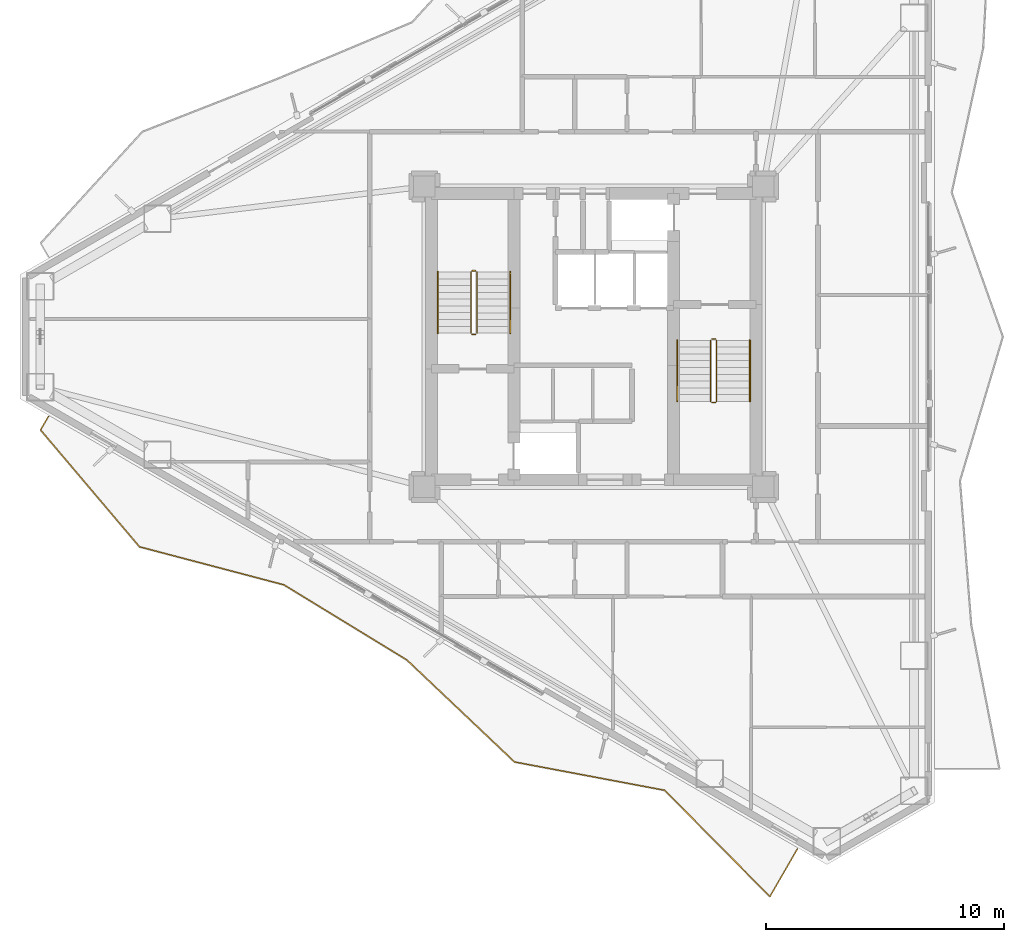
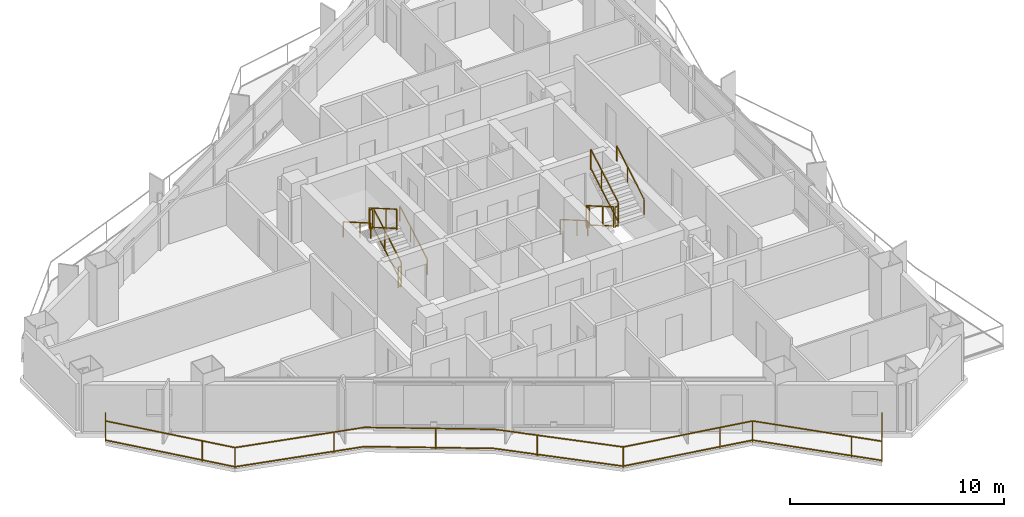
# One storey, part 21 of 22: 13 railings.
"""IFC4 building model written with IfcOpenShell, lengths in metres."""

from ifc_helpers import new_model, si_unit, direction, frame, origin, origin_2d, place, context, subcontext, project, spatial, rectangle, extrude, material, type_object, element, save


model = new_model("IFC4")

# Units and contexts
model_context = context("Model", 3, precision=1e-05, world=origin(), true_north=direction((0.0, 1.0)))
body_context = subcontext(model_context, "Body", "Model", "MODEL_VIEW")
ifc_project = project(units=[si_unit("LENGTHUNIT", "METRE"), si_unit("AREAUNIT", "SQUARE_METRE"), si_unit("VOLUMEUNIT", "CUBIC_METRE"), si_unit("PLANEANGLEUNIT", "RADIAN"), si_unit("MASSUNIT", "GRAM", prefix="KILO")], contexts=[model_context])

# Site, building, storey
site_placement = place(None, origin())
site = spatial("IfcSite", under=ifc_project, at=site_placement, CompositionType="ELEMENT")
building_placement = place(site_placement, origin())
building = spatial("IfcBuilding", under=site, at=building_placement, Name="Mersakhor Tower and Convention Hall", CompositionType="ELEMENT")
storey_placement = place(building_placement, frame((0.0, 0.0, 83.39990234375)))
storey = spatial("IfcBuildingStorey", under=building, at=storey_placement, Name="L22", CompositionType="ELEMENT", Elevation=83.39990234375)

# Railings
ifc_material_1 = material(Name="Powder-coated galvanised steel and laminated glass balustrade", Category="steel")
railing_type_1 = type_object("IfcRailingType", Name="RL-BAL-1200", PredefinedType="BALUSTRADE", material=ifc_material_1)
railing_1_placement = place(storey_placement, frame((6.1240234375, 23.4052734375, 0.0)))
element("IfcRailing", 1, at=railing_1_placement, inside=storey, type_object=railing_type_1, Name="L22 Sinusoidal Balcony Balustrade F3", PredefinedType="BALUSTRADE", context=body_context, shape_type="SweptSolid", body=[
    extrude(rectangle(XDim=0.048095703125, YDim=0.048095703125, at=origin_2d()), frame((0.0, 0.0, 1.17578125), z_axis=(-0.49989585183, -0.866085525409, 0.0), x_axis=(0.866085525409, -0.49989585183, 0.0)), (0.0, 0.0, 1.0), 0.650146484375),
    extrude(rectangle(XDim=0.048095703125, YDim=0.048095703125, at=origin_2d()), frame((0.0, 0.0, 0.080078125), z_axis=(-0.49989585183, -0.866085525409, 0.0), x_axis=(0.866085525409, -0.49989585183, 0.0)), (0.0, 0.0, 1.0), 0.650146484375),
    extrude(rectangle(XDim=0.048095703125, YDim=0.048095703125, at=origin_2d()), frame((-0.324951171875, -0.56298828125, 1.17578125), z_axis=(0.646213090612, -0.763157022848, 0.0), x_axis=(0.763157022848, 0.646213090612, 0.0)), (0.0, 0.0, 1.0), 6.423828125),
    extrude(rectangle(XDim=0.048095703125, YDim=0.048095703125, at=origin_2d()), frame((-0.324951171875, -0.56298828125, 0.080078125), z_axis=(0.646213090612, -0.763157022848, 0.0), x_axis=(0.763157022848, 0.646213090612, 0.0)), (0.0, 0.0, 1.0), 6.423828125),
    extrude(rectangle(XDim=0.048095703125, YDim=0.048095703125, at=origin_2d()), frame((3.826171875, -5.46533203125, 1.17578125), z_axis=(0.967008397633, -0.254744497306, 0.0), x_axis=(0.254744497306, 0.967008397633, 0.0)), (0.0, 0.0, 1.0), 6.266845703125),
    extrude(rectangle(XDim=0.048095703125, YDim=0.048095703125, at=origin_2d()), frame((3.826171875, -5.46533203125, 0.080078125), z_axis=(0.967008397633, -0.254744497306, 0.0), x_axis=(0.254744497306, 0.967008397633, 0.0)), (0.0, 0.0, 1.0), 6.266845703125),
    extrude(rectangle(XDim=0.048095703125, YDim=0.048095703125, at=origin_2d()), frame((9.88623046875, -7.061767578125, 1.17578125), z_axis=(0.853257885244, -0.521489195736, 0.0), x_axis=(0.521489195736, 0.853257885244, 0.0)), (0.0, 0.0, 1.0), 6.048095703125),
    extrude(rectangle(XDim=0.048095703125, YDim=0.048095703125, at=origin_2d()), frame((9.88623046875, -7.061767578125, 0.080078125), z_axis=(0.853257885244, -0.521489195736, 0.0), x_axis=(0.521489195736, 0.853257885244, 0.0)), (0.0, 0.0, 1.0), 6.048095703125),
    extrude(rectangle(XDim=0.048095703125, YDim=0.048095703125, at=origin_2d()), frame((15.046875, -10.2158203125, 1.17578125), z_axis=(0.726031109564, -0.687661855816, 0.0), x_axis=(0.687661855816, 0.726031109564, 0.0)), (0.0, 0.0, 1.0), 6.216552734375),
    extrude(rectangle(XDim=0.048095703125, YDim=0.048095703125, at=origin_2d()), frame((15.046875, -10.2158203125, 0.080078125), z_axis=(0.726031109564, -0.687661855816, 0.0), x_axis=(0.687661855816, 0.726031109564, 0.0)), (0.0, 0.0, 1.0), 6.216552734375),
    extrude(rectangle(XDim=0.048095703125, YDim=0.048095703125, at=origin_2d()), frame((19.560302734375, -14.49072265625, 1.17578125), z_axis=(0.982664928517, -0.185390502084, 0.0), x_axis=(0.185390502084, 0.982664928517, 0.0)), (0.0, 0.0, 1.0), 6.40673828125),
    extrude(rectangle(XDim=0.048095703125, YDim=0.048095703125, at=origin_2d()), frame((19.560302734375, -14.49072265625, 0.080078125), z_axis=(0.982664928517, -0.185390502084, 0.0), x_axis=(0.185390502084, 0.982664928517, 0.0)), (0.0, 0.0, 1.0), 6.40673828125),
    extrude(rectangle(XDim=0.048095703125, YDim=0.048095703125, at=origin_2d()), frame((25.85595703125, -15.678466796875, 1.17578125), z_axis=(0.703299493213, -0.710893679003, 0.0), x_axis=(0.710893679003, 0.703299493213, 0.0)), (0.0, 0.0, 1.0), 6.26904296875),
    extrude(rectangle(XDim=0.048095703125, YDim=0.048095703125, at=origin_2d()), frame((25.85595703125, -15.678466796875, 0.080078125), z_axis=(0.703299493213, -0.710893679003, 0.0), x_axis=(0.710893679003, 0.703299493213, 0.0)), (0.0, 0.0, 1.0), 6.26904296875),
    extrude(rectangle(XDim=0.048095703125, YDim=0.048095703125, at=origin_2d()), frame((30.264892578125, -20.135009765625, 1.17578125), z_axis=(0.499921105357, 0.866070948836, 0.0), x_axis=(-0.866070948836, 0.499921105357, 0.0)), (0.0, 0.0, 1.0), 2.304931640625),
    extrude(rectangle(XDim=0.048095703125, YDim=0.048095703125, at=origin_2d()), frame((30.264892578125, -20.135009765625, 0.080078125), z_axis=(0.499921105357, 0.866070948836, 0.0), x_axis=(-0.866070948836, 0.499921105357, 0.0)), (0.0, 0.0, 1.0), 2.304931640625),
    extrude(rectangle(XDim=0.0419921875, YDim=0.0419921875, at=origin_2d()), origin(), (0.0, 0.0, 1.0), 1.15185546875),
    extrude(rectangle(XDim=0.0419921875, YDim=0.0419921875, at=origin_2d()), frame((-0.324951171875, -0.56298828125, 0.0)), (0.0, 0.0, 1.0), 1.15185546875),
    extrude(rectangle(XDim=0.0419921875, YDim=0.0419921875, at=origin_2d()), frame((2.77685546875, -4.22607421875, 0.0)), (0.0, 0.0, 1.0), 1.15185546875),
    extrude(rectangle(XDim=0.0419921875, YDim=0.0419921875, at=origin_2d()), frame((3.826171875, -5.46533203125, 0.0)), (0.0, 0.0, 1.0), 1.15185546875),
    extrude(rectangle(XDim=0.0419921875, YDim=0.0419921875, at=origin_2d()), frame((8.4677734375, -6.68798828125, 0.0)), (0.0, 0.0, 1.0), 1.15185546875),
    extrude(rectangle(XDim=0.0419921875, YDim=0.0419921875, at=origin_2d()), frame((12.730224609375, -8.800048828125, 0.0)), (0.0, 0.0, 1.0), 1.15185546875),
    extrude(rectangle(XDim=0.0419921875, YDim=0.0419921875, at=origin_2d()), frame((16.560546875, -11.649658203125, 0.0)), (0.0, 0.0, 1.0), 1.15185546875),
    extrude(rectangle(XDim=0.0419921875, YDim=0.0419921875, at=origin_2d()), frame((19.560302734375, -14.49072265625, 0.0)), (0.0, 0.0, 1.0), 1.15185546875),
    extrude(rectangle(XDim=0.0419921875, YDim=0.0419921875, at=origin_2d()), frame((24.277099609375, -15.380615234375, 0.0)), (0.0, 0.0, 1.0), 1.15185546875),
    extrude(rectangle(XDim=0.0419921875, YDim=0.0419921875, at=origin_2d()), frame((25.85595703125, -15.678466796875, 0.0)), (0.0, 0.0, 1.0), 1.15185546875),
    extrude(rectangle(XDim=0.0419921875, YDim=0.0419921875, at=origin_2d()), frame((29.231689453125, -19.0908203125, 0.0)), (0.0, 0.0, 1.0), 1.15185546875),
    extrude(rectangle(XDim=0.0419921875, YDim=0.0419921875, at=origin_2d()), frame((30.264892578125, -20.135009765625, 0.0)), (0.0, 0.0, 1.0), 1.15185546875),
    extrude(rectangle(XDim=0.0419921875, YDim=0.0419921875, at=origin_2d()), frame((31.417236328125, -18.138671875, 0.0)), (0.0, 0.0, 1.0), 1.15185546875),
])
ifc_material_2 = material(Name="Brushed stainless steel handrail", Category="steel")
railing_type_2 = type_object("IfcRailingType", Name="RL-HR-900", PredefinedType="HANDRAIL", material=ifc_material_2)
railing_2_placement = place(storey_placement, frame((25.5, 26.89990234375, 0.1650390625)))
element("IfcRailing", 2, at=railing_2_placement, inside=storey, type_object=railing_type_2, Name="L22 ST-1 stair handrail 1", PredefinedType="HANDRAIL", context=body_context, shape_type="SweptSolid", body=[
    extrude(rectangle(XDim=0.048095703125, YDim=0.048095703125, at=origin_2d()), frame((0.0, 0.0, 0.8759765625), z_axis=(0.0, 0.865426285481, 0.501036270542), x_axis=(-1.0, 0.0, 0.0)), (0.0, 0.0, 1.0), 2.964111328125),
    extrude(rectangle(XDim=0.0419921875, YDim=0.0419921875, at=origin_2d()), origin(), (0.0, 0.0, 1.0), 0.851806640625),
    extrude(rectangle(XDim=0.0419921875, YDim=0.0419921875, at=origin_2d()), frame((0.0, 1.557861328125, 0.90185546875)), (0.0, 0.0, 1.0), 0.851806640625),
    extrude(rectangle(XDim=0.0419921875, YDim=0.0419921875, at=origin_2d()), frame((0.0, 2.565185546875, 1.485107421875)), (0.0, 0.0, 1.0), 0.851806640625),
])
railing_3_placement = place(storey_placement, frame((22.449951171875, 29.465087890625, 1.815185546875)))
element("IfcRailing", 3, at=railing_3_placement, inside=storey, type_object=railing_type_2, Name="L22 ST-1 stair handrail 2", PredefinedType="HANDRAIL", context=body_context, shape_type="SweptSolid", body=[
    extrude(rectangle(XDim=0.048095703125, YDim=0.048095703125, at=origin_2d()), frame((0.0, 0.0, 0.8759765625), z_axis=(0.0, -0.865461999751, 0.500974577186), x_axis=(1.0, 0.0, 0.0)), (0.0, 0.0, 1.0), 2.9638671875),
    extrude(rectangle(XDim=0.0419921875, YDim=0.0419921875, at=origin_2d()), origin(), (0.0, 0.0, 1.0), 0.851806640625),
    extrude(rectangle(XDim=0.0419921875, YDim=0.0419921875, at=origin_2d()), frame((0.0, -1.557861328125, 0.90185546875)), (0.0, 0.0, 1.0), 0.851806640625),
    extrude(rectangle(XDim=0.0419921875, YDim=0.0419921875, at=origin_2d()), frame((0.0, -2.565185546875, 1.48486328125)), (0.0, 0.0, 1.0), 0.851806640625),
])
railing_4_placement = place(storey_placement, frame((32.5, 26.60009765625, 0.1650390625)))
element("IfcRailing", 4, at=railing_4_placement, inside=storey, type_object=railing_type_2, Name="L22 ST-2 stair handrail 1", PredefinedType="HANDRAIL", context=body_context, shape_type="SweptSolid", body=[
    extrude(rectangle(XDim=0.048095703125, YDim=0.048095703125, at=origin_2d()), frame((0.0, 0.0, 0.8759765625), z_axis=(0.0, -0.865426285481, 0.501036270542), x_axis=(1.0, 0.0, 0.0)), (0.0, 0.0, 1.0), 2.964111328125),
    extrude(rectangle(XDim=0.0419921875, YDim=0.0419921875, at=origin_2d()), origin(), (0.0, 0.0, 1.0), 0.851806640625),
    extrude(rectangle(XDim=0.0419921875, YDim=0.0419921875, at=origin_2d()), frame((0.0, -1.557861328125, 0.90185546875)), (0.0, 0.0, 1.0), 0.851806640625),
    extrude(rectangle(XDim=0.0419921875, YDim=0.0419921875, at=origin_2d()), frame((0.0, -2.565185546875, 1.485107421875)), (0.0, 0.0, 1.0), 0.851806640625),
])
railing_5_placement = place(storey_placement, frame((35.550048828125, 24.034912109375, 1.815185546875)))
element("IfcRailing", 5, at=railing_5_placement, inside=storey, type_object=railing_type_2, Name="L22 ST-2 stair handrail 2", PredefinedType="HANDRAIL", context=body_context, shape_type="SweptSolid", body=[
    extrude(rectangle(XDim=0.048095703125, YDim=0.048095703125, at=origin_2d()), frame((0.0, 0.0, 0.8759765625), z_axis=(0.0, 0.865461999751, 0.500974577186), x_axis=(-1.0, 0.0, 0.0)), (0.0, 0.0, 1.0), 2.9638671875),
    extrude(rectangle(XDim=0.0419921875, YDim=0.0419921875, at=origin_2d()), origin(), (0.0, 0.0, 1.0), 0.851806640625),
    extrude(rectangle(XDim=0.0419921875, YDim=0.0419921875, at=origin_2d()), frame((0.0, 1.557861328125, 0.90185546875)), (0.0, 0.0, 1.0), 0.851806640625),
    extrude(rectangle(XDim=0.0419921875, YDim=0.0419921875, at=origin_2d()), frame((0.0, 2.565185546875, 1.48486328125)), (0.0, 0.0, 1.0), 0.851806640625),
])
ifc_material_3 = material(Name="Painted steel stair balustrade S355", Category="steel")
railing_type_3 = type_object("IfcRailingType", Name="RL-STG-1200", PredefinedType="BALUSTRADE", material=ifc_material_3)
railing_6_placement = place(storey_placement, frame((24.10009765625, 26.89990234375, 0.1650390625)))
element("IfcRailing", 6, at=railing_6_placement, inside=storey, type_object=railing_type_3, Name="L22 ST-1 stair guard 1", PredefinedType="BALUSTRADE", context=body_context, shape_type="SweptSolid", body=[
    extrude(rectangle(XDim=0.048095703125, YDim=0.048095703125, at=origin_2d()), frame((0.0, 0.0, 1.17578125), z_axis=(0.0, 0.865426285481, 0.501036270542), x_axis=(-1.0, 0.0, 0.0)), (0.0, 0.0, 1.0), 2.964111328125),
    extrude(rectangle(XDim=0.048095703125, YDim=0.048095703125, at=origin_2d()), frame((0.0, 0.0, 0.080078125), z_axis=(0.0, 0.865426285481, 0.501036270542), x_axis=(-1.0, 0.0, 0.0)), (0.0, 0.0, 1.0), 2.964111328125),
    extrude(rectangle(XDim=0.0419921875, YDim=0.0419921875, at=origin_2d()), origin(), (0.0, 0.0, 1.0), 1.15185546875),
    extrude(rectangle(XDim=0.0419921875, YDim=0.0419921875, at=origin_2d()), frame((0.0, 1.557861328125, 0.90185546875)), (0.0, 0.0, 1.0), 1.15185546875),
    extrude(rectangle(XDim=0.0419921875, YDim=0.0419921875, at=origin_2d()), frame((0.0, 2.565185546875, 1.485107421875)), (0.0, 0.0, 1.0), 1.15185546875),
])
railing_7_placement = place(storey_placement, frame((24.050048828125, 29.514892578125, 1.650146484375)))
element("IfcRailing", 7, at=railing_7_placement, inside=storey, type_object=railing_type_3, Name="L22 ST-1 stair guard 2", PredefinedType="BALUSTRADE", context=body_context, shape_type="SweptSolid", body=[
    extrude(rectangle(XDim=0.048095703125, YDim=0.048095703125, at=origin_2d()), frame((0.0, 0.0, 1.17578125), z_axis=(-1.0, 0.0, 0.0), x_axis=(0.0, -1.0, 0.0)), (0.0, 0.0, 1.0), 0.150146484375),
    extrude(rectangle(XDim=0.048095703125, YDim=0.048095703125, at=origin_2d()), frame((0.0, 0.0, 0.080078125), z_axis=(-1.0, 0.0, 0.0), x_axis=(0.0, -1.0, 0.0)), (0.0, 0.0, 1.0), 0.150146484375),
    extrude(rectangle(XDim=0.0419921875, YDim=0.0419921875, at=origin_2d()), origin(), (0.0, 0.0, 1.0), 1.15185546875),
    extrude(rectangle(XDim=0.0419921875, YDim=0.0419921875, at=origin_2d()), frame((-0.150146484375, 0.0, 0.0)), (0.0, 0.0, 1.0), 1.15185546875),
])
railing_8_placement = place(storey_placement, frame((23.85009765625, 29.465087890625, 1.815185546875)))
element("IfcRailing", 8, at=railing_8_placement, inside=storey, type_object=railing_type_3, Name="L22 ST-1 stair guard 3", PredefinedType="BALUSTRADE", context=body_context, shape_type="SweptSolid", body=[
    extrude(rectangle(XDim=0.048095703125, YDim=0.048095703125, at=origin_2d()), frame((0.0, 0.0, 1.17578125), z_axis=(0.0, -0.865461999751, 0.500974577186), x_axis=(1.0, 0.0, 0.0)), (0.0, 0.0, 1.0), 2.9638671875),
    extrude(rectangle(XDim=0.048095703125, YDim=0.048095703125, at=origin_2d()), frame((0.0, 0.0, 0.080078125), z_axis=(0.0, -0.865461999751, 0.500974577186), x_axis=(1.0, 0.0, 0.0)), (0.0, 0.0, 1.0), 2.9638671875),
    extrude(rectangle(XDim=0.0419921875, YDim=0.0419921875, at=origin_2d()), origin(), (0.0, 0.0, 1.0), 1.15185546875),
    extrude(rectangle(XDim=0.0419921875, YDim=0.0419921875, at=origin_2d()), frame((0.0, -1.557861328125, 0.90185546875)), (0.0, 0.0, 1.0), 1.15185546875),
    extrude(rectangle(XDim=0.0419921875, YDim=0.0419921875, at=origin_2d()), frame((0.0, -2.565185546875, 1.48486328125)), (0.0, 0.0, 1.0), 1.15185546875),
])
railing_9_placement = place(storey_placement, frame((24.050048828125, 26.85009765625, 0.0)))
element("IfcRailing", 9, at=railing_9_placement, inside=storey, type_object=railing_type_3, Name="L22 ST-1 stair guard 4", PredefinedType="BALUSTRADE", context=body_context, shape_type="SweptSolid", body=[
    extrude(rectangle(XDim=0.048095703125, YDim=0.048095703125, at=origin_2d()), frame((0.0, 0.0, 1.17578125), z_axis=(-1.0, 0.0, 0.0), x_axis=(0.0, -1.0, 0.0)), (0.0, 0.0, 1.0), 0.150146484375),
    extrude(rectangle(XDim=0.048095703125, YDim=0.048095703125, at=origin_2d()), frame((0.0, 0.0, 0.080078125), z_axis=(-1.0, 0.0, 0.0), x_axis=(0.0, -1.0, 0.0)), (0.0, 0.0, 1.0), 0.150146484375),
    extrude(rectangle(XDim=0.0419921875, YDim=0.0419921875, at=origin_2d()), origin(), (0.0, 0.0, 1.0), 1.15185546875),
    extrude(rectangle(XDim=0.0419921875, YDim=0.0419921875, at=origin_2d()), frame((-0.150146484375, 0.0, 0.0)), (0.0, 0.0, 1.0), 1.15185546875),
])
railing_10_placement = place(storey_placement, frame((33.89990234375, 26.60009765625, 0.1650390625)))
element("IfcRailing", 10, at=railing_10_placement, inside=storey, type_object=railing_type_3, Name="L22 ST-2 stair guard 1", PredefinedType="BALUSTRADE", context=body_context, shape_type="SweptSolid", body=[
    extrude(rectangle(XDim=0.048095703125, YDim=0.048095703125, at=origin_2d()), frame((0.0, 0.0, 1.17578125), z_axis=(0.0, -0.865426285481, 0.501036270542), x_axis=(1.0, 0.0, 0.0)), (0.0, 0.0, 1.0), 2.964111328125),
    extrude(rectangle(XDim=0.048095703125, YDim=0.048095703125, at=origin_2d()), frame((0.0, 0.0, 0.080078125), z_axis=(0.0, -0.865426285481, 0.501036270542), x_axis=(1.0, 0.0, 0.0)), (0.0, 0.0, 1.0), 2.964111328125),
    extrude(rectangle(XDim=0.0419921875, YDim=0.0419921875, at=origin_2d()), origin(), (0.0, 0.0, 1.0), 1.15185546875),
    extrude(rectangle(XDim=0.0419921875, YDim=0.0419921875, at=origin_2d()), frame((0.0, -1.557861328125, 0.90185546875)), (0.0, 0.0, 1.0), 1.15185546875),
    extrude(rectangle(XDim=0.0419921875, YDim=0.0419921875, at=origin_2d()), frame((0.0, -2.565185546875, 1.485107421875)), (0.0, 0.0, 1.0), 1.15185546875),
])
railing_11_placement = place(storey_placement, frame((33.949951171875, 23.985107421875, 1.650146484375)))
element("IfcRailing", 11, at=railing_11_placement, inside=storey, type_object=railing_type_3, Name="L22 ST-2 stair guard 2", PredefinedType="BALUSTRADE", context=body_context, shape_type="SweptSolid", body=[
    extrude(rectangle(XDim=0.048095703125, YDim=0.048095703125, at=origin_2d()), frame((0.0, 0.0, 1.17578125), z_axis=(1.0, 0.0, 0.0), x_axis=(0.0, 1.0, 0.0)), (0.0, 0.0, 1.0), 0.150146484375),
    extrude(rectangle(XDim=0.048095703125, YDim=0.048095703125, at=origin_2d()), frame((0.0, 0.0, 0.080078125), z_axis=(1.0, 0.0, 0.0), x_axis=(0.0, 1.0, 0.0)), (0.0, 0.0, 1.0), 0.150146484375),
    extrude(rectangle(XDim=0.0419921875, YDim=0.0419921875, at=origin_2d()), origin(), (0.0, 0.0, 1.0), 1.15185546875),
    extrude(rectangle(XDim=0.0419921875, YDim=0.0419921875, at=origin_2d()), frame((0.150146484375, 0.0, 0.0)), (0.0, 0.0, 1.0), 1.15185546875),
])
railing_12_placement = place(storey_placement, frame((34.14990234375, 24.034912109375, 1.815185546875)))
element("IfcRailing", 12, at=railing_12_placement, inside=storey, type_object=railing_type_3, Name="L22 ST-2 stair guard 3", PredefinedType="BALUSTRADE", context=body_context, shape_type="SweptSolid", body=[
    extrude(rectangle(XDim=0.048095703125, YDim=0.048095703125, at=origin_2d()), frame((0.0, 0.0, 1.17578125), z_axis=(0.0, 0.865461999751, 0.500974577186), x_axis=(-1.0, 0.0, 0.0)), (0.0, 0.0, 1.0), 2.9638671875),
    extrude(rectangle(XDim=0.048095703125, YDim=0.048095703125, at=origin_2d()), frame((0.0, 0.0, 0.080078125), z_axis=(0.0, 0.865461999751, 0.500974577186), x_axis=(-1.0, 0.0, 0.0)), (0.0, 0.0, 1.0), 2.9638671875),
    extrude(rectangle(XDim=0.0419921875, YDim=0.0419921875, at=origin_2d()), origin(), (0.0, 0.0, 1.0), 1.15185546875),
    extrude(rectangle(XDim=0.0419921875, YDim=0.0419921875, at=origin_2d()), frame((0.0, 1.557861328125, 0.90185546875)), (0.0, 0.0, 1.0), 1.15185546875),
    extrude(rectangle(XDim=0.0419921875, YDim=0.0419921875, at=origin_2d()), frame((0.0, 2.565185546875, 1.48486328125)), (0.0, 0.0, 1.0), 1.15185546875),
])
railing_13_placement = place(storey_placement, frame((33.949951171875, 26.64990234375, 0.0)))
element("IfcRailing", 13, at=railing_13_placement, inside=storey, type_object=railing_type_3, Name="L22 ST-2 stair guard 4", PredefinedType="BALUSTRADE", context=body_context, shape_type="SweptSolid", body=[
    extrude(rectangle(XDim=0.048095703125, YDim=0.048095703125, at=origin_2d()), frame((0.0, 0.0, 1.17578125), z_axis=(1.0, 0.0, 0.0), x_axis=(0.0, 1.0, 0.0)), (0.0, 0.0, 1.0), 0.150146484375),
    extrude(rectangle(XDim=0.048095703125, YDim=0.048095703125, at=origin_2d()), frame((0.0, 0.0, 0.080078125), z_axis=(1.0, 0.0, 0.0), x_axis=(0.0, 1.0, 0.0)), (0.0, 0.0, 1.0), 0.150146484375),
    extrude(rectangle(XDim=0.0419921875, YDim=0.0419921875, at=origin_2d()), origin(), (0.0, 0.0, 1.0), 1.15185546875),
    extrude(rectangle(XDim=0.0419921875, YDim=0.0419921875, at=origin_2d()), frame((0.150146484375, 0.0, 0.0)), (0.0, 0.0, 1.0), 1.15185546875),
])

save(model, "model.ifc")
